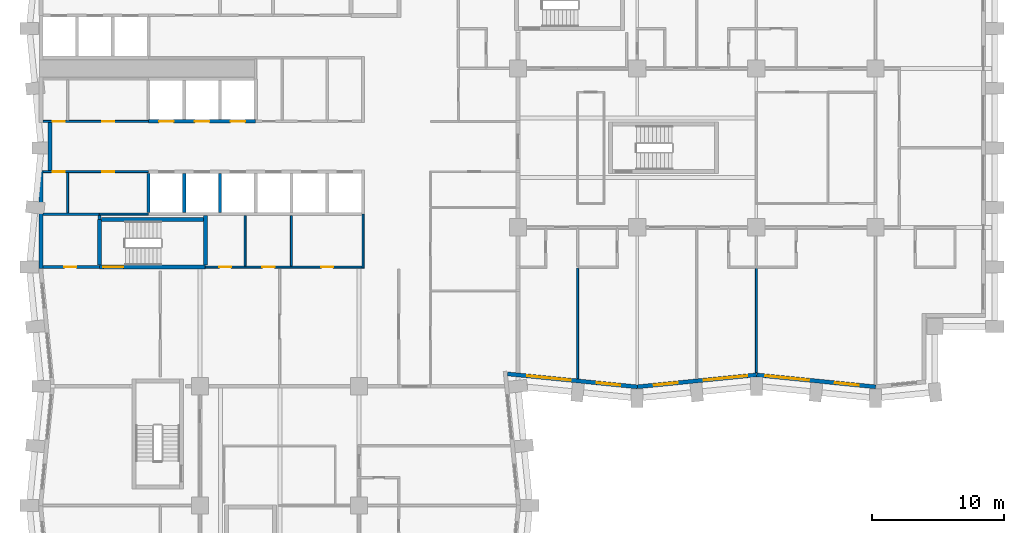
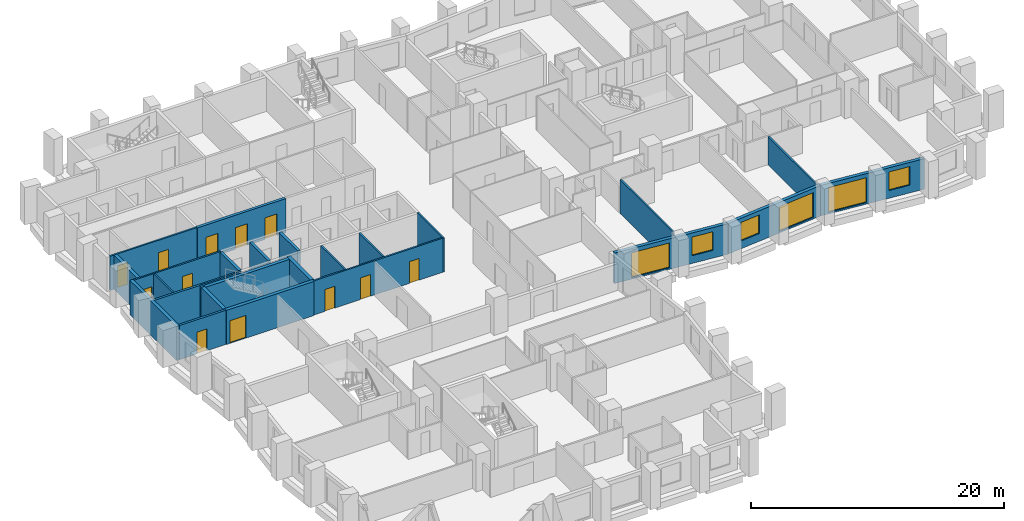
# One storey, part 5 of 12: 26 walls, 12 doors, 6 windows, 18 openings.
"""IFC4 building model written with IfcOpenShell, lengths in metres."""

from ifc_helpers import new_model, si_unit, direction, frame, frame_2d, origin, place, context, subcontext, project, spatial, rectangle, extrude, material, layer, layer_set, type_object, element, fill, save


model = new_model("IFC4")

# Units and contexts
model_context = context("Model", 3, precision=1e-05, world=origin(), true_north=direction((0.0, 1.0)))
body_context = subcontext(model_context, "Body", "Model", "MODEL_VIEW")
ifc_project = project(units=[si_unit("LENGTHUNIT", "METRE"), si_unit("AREAUNIT", "SQUARE_METRE"), si_unit("VOLUMEUNIT", "CUBIC_METRE"), si_unit("PLANEANGLEUNIT", "RADIAN"), si_unit("MASSUNIT", "GRAM", prefix="KILO")], contexts=[model_context])

# Site, building, storey
site_placement = place(None, origin())
site = spatial("IfcSite", under=ifc_project, at=site_placement, CompositionType="ELEMENT")
building_placement = place(site_placement, origin())
building = spatial("IfcBuilding", under=site, at=building_placement, Name="Brondeck Convention Tower", CompositionType="ELEMENT")
storey_placement = place(building_placement, frame((0.0, 0.0, 51.89990234375)))
storey = spatial("IfcBuildingStorey", under=building, at=storey_placement, Name="L10", CompositionType="ELEMENT", Elevation=51.89990234375)

# Wall, openings, doors
ifc_material_1 = material(Name="Concrete C80/95", Category="concrete")
ifc_layer_1 = layer(ifc_material_1, 0.14990234375)
ifc_layer_set_1 = layer_set([ifc_layer_1], Name="Core beam-seat wall 150 Concrete C80/95")
wall_type_1 = type_object("IfcWallType", Name="Core beam-seat wall 150 Concrete C80/95", PredefinedType="SHEAR", material=ifc_layer_set_1)
wall_1_placement = place(storey_placement, frame((12.39990234375, 36.0, 0.0), z_axis=(0.0, 0.0, 1.0), x_axis=(1.0, 0.0, 0.0)))
wall_1 = element("IfcWall", 1, at=wall_1_placement, inside=storey, type_object=wall_type_1, Name="L10 core wall", PredefinedType="SHEAR", context=body_context, shape_type="SweptSolid", body=[
    extrude(rectangle(XDim=11.8251953125, YDim=0.14990234375, at=frame_2d((5.91259765625, 0.0))), origin(), (0.0, 0.0, 1.0), 3.300048828125),
])
opening_1_placement = place(wall_1_placement, frame((1.050048828125, 0.0, 0.0)))
opening_1 = element("IfcOpeningElement", 2, at=opening_1_placement, cuts=wall_1, Name="Opening C09-03", PredefinedType="OPENING", context=body_context, shape_type="SweptSolid", body=[
    extrude(rectangle(XDim=0.89990234375, YDim=2.10009765625, at=frame_2d((0.449951171875, 1.050048828125))), frame((0.0, 0.0849609375, 0.0), z_axis=(0.0, -1.0, 0.0), x_axis=(1.0, 0.0, 0.0)), (0.0, 0.0, 1.0), 0.169921875),
])
opening_2_placement = place(wall_1_placement, frame((4.27490234375, 0.0, 0.0)))
opening_2 = element("IfcOpeningElement", 3, at=opening_2_placement, cuts=wall_1, Name="Opening C09-04", PredefinedType="OPENING", context=body_context, shape_type="SweptSolid", body=[
    extrude(rectangle(XDim=0.949951171875, YDim=2.10009765625, at=frame_2d((0.47509765625, 1.050048828125))), frame((0.0, 0.0849609375, 0.0), z_axis=(0.0, -1.0, 0.0), x_axis=(1.0, 0.0, 0.0)), (0.0, 0.0, 1.0), 0.169921875),
])
opening_3_placement = place(wall_1_placement, frame((8.75, 0.0, 0.0)))
opening_3 = element("IfcOpeningElement", 4, at=opening_3_placement, cuts=wall_1, Name="Opening C09-05", PredefinedType="OPENING", context=body_context, shape_type="SweptSolid", body=[
    extrude(rectangle(XDim=0.89990234375, YDim=2.10009765625, at=frame_2d((0.449951171875, 1.050048828125))), frame((0.0, 0.0849609375, 0.0), z_axis=(0.0, -1.0, 0.0), x_axis=(1.0, 0.0, 0.0)), (0.0, 0.0, 1.0), 0.169921875),
])
ifc_material_2 = material(Name="Steel fire door", Category="steel")
door_type_1 = type_object("IfcDoorType", Name="Room door 900x2100 EI 60", OperationType="NOTDEFINED", PredefinedType="DOOR", material=ifc_material_2)
door_1_placement = place(opening_1_placement, origin())
door_1 = element("IfcDoor", 5, at=door_1_placement, inside=storey, type_object=door_type_1, Name="L10 Room door FR-1", OperationType="SINGLE_SWING_RIGHT", OverallHeight=2.10009765625, OverallWidth=0.89990234375, PredefinedType="DOOR", context=body_context, shape_type="SweptSolid", body=[
    extrude(rectangle(XDim=0.89990234375, YDim=2.10009765625, at=frame_2d((0.449951171875, 1.050048828125))), frame((0.0, 0.02490234375, 0.0), z_axis=(0.0, -1.0, 0.0), x_axis=(1.0, 0.0, 0.0)), (0.0, 0.0, 1.0), 0.050048828125),
])
fill(opening_1, door_1)
door_2_placement = place(opening_3_placement, origin())
door_2 = element("IfcDoor", 6, at=door_2_placement, inside=storey, type_object=door_type_1, Name="L10 Room door FR-3", OperationType="SINGLE_SWING_RIGHT", OverallHeight=2.10009765625, OverallWidth=0.89990234375, PredefinedType="DOOR", context=body_context, shape_type="SweptSolid", body=[
    extrude(rectangle(XDim=0.89990234375, YDim=2.10009765625, at=frame_2d((0.449951171875, 1.050048828125))), frame((0.0, 0.02490234375, 0.0), z_axis=(0.0, -1.0, 0.0), x_axis=(1.0, 0.0, 0.0)), (0.0, 0.0, 1.0), 0.050048828125),
])
fill(opening_3, door_2)
door_type_2 = type_object("IfcDoorType", Name="Room door 950x2100 EI 60", OperationType="NOTDEFINED", PredefinedType="DOOR", material=ifc_material_2)
door_3_placement = place(opening_2_placement, origin())
door_3 = element("IfcDoor", 7, at=door_3_placement, inside=storey, type_object=door_type_2, Name="L10 Room door FR-2", OperationType="SINGLE_SWING_LEFT", OverallHeight=2.10009765625, OverallWidth=0.949951171875, PredefinedType="DOOR", context=body_context, shape_type="SweptSolid", body=[
    extrude(rectangle(XDim=0.949951171875, YDim=2.10009765625, at=frame_2d((0.47509765625, 1.050048828125))), frame((0.0, 0.02490234375, 0.0), z_axis=(0.0, -1.0, 0.0), x_axis=(1.0, 0.0, 0.0)), (0.0, 0.0, 1.0), 0.050048828125),
])
fill(opening_2, door_3)

# Walls
wall_2_placement = place(storey_placement, frame((24.300048828125, 35.925048828125, 0.0), z_axis=(0.0, 0.0, 1.0), x_axis=(0.0, 1.0, 0.0)))
element("IfcWall", 8, at=wall_2_placement, inside=storey, type_object=wall_type_1, Name="L10 core wall", PredefinedType="SHEAR", context=body_context, shape_type="SweptSolid", body=[
    extrude(rectangle(XDim=4.074951171875, YDim=0.14990234375, at=frame_2d((2.03759765625, 0.0))), origin(), (0.0, 0.0, 1.0), 3.300048828125),
])
ifc_layer_2 = layer(ifc_material_1, 0.300048828125)
ifc_layer_set_2 = layer_set([ifc_layer_2], Name="Core outer wall 300 Concrete C80/95")
wall_type_2 = type_object("IfcWallType", Name="Core outer wall 300 Concrete C80/95", PredefinedType="SHEAR", material=ifc_layer_set_2)
wall_3_placement = place(storey_placement, frame((0.0, 35.89990234375, 0.0), z_axis=(0.0, 0.0, 1.0), x_axis=(0.0, 1.0, 0.0)))
element("IfcWall", 9, at=wall_3_placement, inside=storey, type_object=wall_type_2, Name="L10 core wall", PredefinedType="SHEAR", context=body_context, shape_type="SweptSolid", body=[
    extrude(rectangle(XDim=7.375, YDim=0.300048828125, at=frame_2d((3.6875, 0.0))), origin(), (0.0, 0.0, 1.0), 3.300048828125),
])
wall_4_placement = place(storey_placement, frame((0.64990234375, 43.27490234375, 0.0), z_axis=(0.0, 0.0, 1.0), x_axis=(0.0, 1.0, 0.0)))
element("IfcWall", 10, at=wall_4_placement, inside=storey, type_object=wall_type_2, Name="L10 core wall", PredefinedType="SHEAR", context=body_context, shape_type="SweptSolid", body=[
    extrude(rectangle(XDim=3.650146484375, YDim=0.300048828125, at=frame_2d((1.8251953125, 0.0))), origin(), (0.0, 0.0, 1.0), 3.300048828125),
])
ifc_material_3 = material(Name="Fire-rated gypsum board partition")
ifc_layer_3 = layer(ifc_material_3, 0.14990234375)
ifc_layer_set_3 = layer_set([ifc_layer_3], Name="Core partition 150 EI 60")
wall_type_3 = type_object("IfcWallType", Name="Core partition 150 EI 60", PredefinedType="PARTITIONING", material=ifc_layer_set_3)
wall_5_placement = place(storey_placement, frame((4.39990234375, 40.0, 0.0), z_axis=(0.0, 0.0, 1.0), x_axis=(1.0, 0.0, 0.0)))
element("IfcWall", 11, at=wall_5_placement, inside=storey, type_object=wall_type_3, Name="L10 core wall", PredefinedType="PARTITIONING", context=body_context, shape_type="SweptSolid", body=[
    extrude(rectangle(XDim=3.7001953125, YDim=0.14990234375, at=frame_2d((1.85009765625, 0.0))), origin(), (0.0, 0.0, 1.0), 3.300048828125),
])

# Wall, openings, doors
wall_6_placement = place(storey_placement, frame((0.14990234375, 43.199951171875, 0.0), z_axis=(0.0, 0.0, 1.0), x_axis=(1.0, 0.0, 0.0)))
wall_6 = element("IfcWall", 12, at=wall_6_placement, inside=storey, type_object=wall_type_3, Name="L10 core wall", PredefinedType="PARTITIONING", context=body_context, shape_type="SweptSolid", body=[
    extrude(rectangle(XDim=7.9501953125, YDim=0.14990234375, at=frame_2d((3.97509765625, 0.0))), origin(), (0.0, 0.0, 1.0), 3.300048828125),
])
opening_4_placement = place(wall_6_placement, frame((0.72509765625, 0.0, 0.0)))
opening_4 = element("IfcOpeningElement", 13, at=opening_4_placement, cuts=wall_6, Name="Opening C09-11", PredefinedType="OPENING", context=body_context, shape_type="SweptSolid", body=[
    extrude(rectangle(XDim=0.89990234375, YDim=2.10009765625, at=frame_2d((0.449951171875, 1.050048828125))), frame((0.0, 0.0849609375, 0.0), z_axis=(0.0, -1.0, 0.0), x_axis=(1.0, 0.0, 0.0)), (0.0, 0.0, 1.0), 0.169921875),
])
opening_5_placement = place(wall_6_placement, frame((4.449951171875, 0.0, 0.0)))
opening_5 = element("IfcOpeningElement", 14, at=opening_5_placement, cuts=wall_6, Name="Opening C09-12", PredefinedType="OPENING", context=body_context, shape_type="SweptSolid", body=[
    extrude(rectangle(XDim=0.89990234375, YDim=2.10009765625, at=frame_2d((0.449951171875, 1.050048828125))), frame((0.0, 0.0849609375, 0.0), z_axis=(0.0, -1.0, 0.0), x_axis=(1.0, 0.0, 0.0)), (0.0, 0.0, 1.0), 0.169921875),
])
door_4_placement = place(opening_4_placement, origin())
door_4 = element("IfcDoor", 15, at=door_4_placement, inside=storey, type_object=door_type_1, Name="L10 Room door FZ-S-0-1", OperationType="SINGLE_SWING_LEFT", OverallHeight=2.10009765625, OverallWidth=0.89990234375, PredefinedType="DOOR", context=body_context, shape_type="SweptSolid", body=[
    extrude(rectangle(XDim=0.89990234375, YDim=2.10009765625, at=frame_2d((0.449951171875, 1.050048828125))), frame((0.0, 0.02490234375, 0.0), z_axis=(0.0, -1.0, 0.0), x_axis=(1.0, 0.0, 0.0)), (0.0, 0.0, 1.0), 0.050048828125),
])
fill(opening_4, door_4)
door_5_placement = place(opening_5_placement, origin())
door_5 = element("IfcDoor", 16, at=door_5_placement, inside=storey, type_object=door_type_1, Name="L10 Room door FZ-S-0-2", OperationType="SINGLE_SWING_RIGHT", OverallHeight=2.10009765625, OverallWidth=0.89990234375, PredefinedType="DOOR", context=body_context, shape_type="SweptSolid", body=[
    extrude(rectangle(XDim=0.89990234375, YDim=2.10009765625, at=frame_2d((0.449951171875, 1.050048828125))), frame((0.0, 0.02490234375, 0.0), z_axis=(0.0, -1.0, 0.0), x_axis=(1.0, 0.0, 0.0)), (0.0, 0.0, 1.0), 0.050048828125),
])
fill(opening_5, door_5)

wall_7_placement = place(storey_placement, frame((0.14990234375, 47.0, 0.0), z_axis=(0.0, 0.0, 1.0), x_axis=(1.0, 0.0, 0.0)))
wall_7 = element("IfcWall", 17, at=wall_7_placement, inside=storey, type_object=wall_type_3, Name="L10 core wall", PredefinedType="PARTITIONING", context=body_context, shape_type="SweptSolid", body=[
    extrude(rectangle(XDim=7.9501953125, YDim=0.14990234375, at=frame_2d((3.97509765625, 0.0))), origin(), (0.0, 0.0, 1.0), 3.300048828125),
])
opening_6_placement = place(wall_7_placement, frame((0.72509765625, 0.0, 0.0)))
opening_6 = element("IfcOpeningElement", 18, at=opening_6_placement, cuts=wall_7, Name="Opening C09-07", PredefinedType="OPENING", context=body_context, shape_type="SweptSolid", body=[
    extrude(rectangle(XDim=0.89990234375, YDim=2.10009765625, at=frame_2d((0.449951171875, 1.050048828125))), frame((0.0, 0.0849609375, 0.0), z_axis=(0.0, -1.0, 0.0), x_axis=(1.0, 0.0, 0.0)), (0.0, 0.0, 1.0), 0.169921875),
])
opening_7_placement = place(wall_7_placement, frame((4.449951171875, 0.0, 0.0)))
opening_7 = element("IfcOpeningElement", 19, at=opening_7_placement, cuts=wall_7, Name="Opening C09-08", PredefinedType="OPENING", context=body_context, shape_type="SweptSolid", body=[
    extrude(rectangle(XDim=0.89990234375, YDim=2.10009765625, at=frame_2d((0.449951171875, 1.050048828125))), frame((0.0, 0.0849609375, 0.0), z_axis=(0.0, -1.0, 0.0), x_axis=(1.0, 0.0, 0.0)), (0.0, 0.0, 1.0), 0.169921875),
])
door_6_placement = place(opening_6_placement, origin())
door_6 = element("IfcDoor", 20, at=door_6_placement, inside=storey, type_object=door_type_1, Name="L10 Room door FZ-N-0-1", OperationType="SINGLE_SWING_RIGHT", OverallHeight=2.10009765625, OverallWidth=0.89990234375, PredefinedType="DOOR", context=body_context, shape_type="SweptSolid", body=[
    extrude(rectangle(XDim=0.89990234375, YDim=2.10009765625, at=frame_2d((0.449951171875, 1.050048828125))), frame((0.0, 0.02490234375, 0.0), z_axis=(0.0, -1.0, 0.0), x_axis=(1.0, 0.0, 0.0)), (0.0, 0.0, 1.0), 0.050048828125),
])
fill(opening_6, door_6)
door_7_placement = place(opening_7_placement, origin())
door_7 = element("IfcDoor", 21, at=door_7_placement, inside=storey, type_object=door_type_1, Name="L10 Room door FZ-N-0-2", OperationType="SINGLE_SWING_LEFT", OverallHeight=2.10009765625, OverallWidth=0.89990234375, PredefinedType="DOOR", context=body_context, shape_type="SweptSolid", body=[
    extrude(rectangle(XDim=0.89990234375, YDim=2.10009765625, at=frame_2d((0.449951171875, 1.050048828125))), frame((0.0, 0.02490234375, 0.0), z_axis=(0.0, -1.0, 0.0), x_axis=(1.0, 0.0, 0.0)), (0.0, 0.0, 1.0), 0.050048828125),
])
fill(opening_7, door_7)

# Walls
wall_8_placement = place(storey_placement, frame((2.0, 40.10009765625, 0.0), z_axis=(0.0, 0.0, 1.0), x_axis=(0.0, 1.0, 0.0)))
element("IfcWall", 22, at=wall_8_placement, inside=storey, type_object=wall_type_3, Name="L10 core wall", PredefinedType="PARTITIONING", context=body_context, shape_type="SweptSolid", body=[
    extrude(rectangle(XDim=3.02490234375, YDim=0.14990234375, at=frame_2d((1.512451171875, 0.0))), origin(), (0.0, 0.0, 1.0), 3.300048828125),
])
for number, where, z_axis, x_axis, name in (
    (23, (15.39990234375, 36.074951171875, 0.0), (0.0, 0.0, 1.0), (0.0, 1.0, 0.0), "L10 core wall"),
    (24, (18.89990234375, 36.074951171875, 0.0), (0.0, 0.0, 1.0), (0.0, 1.0, 0.0), "L10 core wall"),
):
    element("IfcWall", number, at=place(storey_placement, frame(where, z_axis=z_axis, x_axis=x_axis)), inside=storey, type_object=wall_type_3, Name=name, PredefinedType="PARTITIONING", context=body_context, shape_type="SweptSolid", body=[
        extrude(rectangle(XDim=3.800048828125, YDim=0.14990234375, at=frame_2d((1.89990234375, 0.0))), origin(), (0.0, 0.0, 1.0), 3.300048828125),
    ])

# Wall, openings, windows
ifc_material_4 = material(Name="Precast concrete C50/60 bronze finish", Category="concrete")
ifc_layer_4 = layer(ifc_material_4, 0.070068359375, Name="Bronze precast facing")
ifc_material_5 = material(Name="Mineral wool")
ifc_layer_5 = layer(ifc_material_5, 0.159912109375, Name="Insulation")
ifc_material_6 = material(Name="Concrete C35/45", Category="concrete")
ifc_layer_6 = layer(ifc_material_6, 0.070068359375, Name="Backing")
ifc_layer_set_4 = layer_set([ifc_layer_4, ifc_layer_5, ifc_layer_6], Name="External infill wall, precast concrete C50/60 bronze facing")
wall_type_4 = type_object("IfcWallType", Name="External infill wall, precast concrete C50/60 bronze facing", PredefinedType="SOLIDWALL", material=ifc_layer_set_4)
wall_9_placement = place(storey_placement, frame((45.014892578125, 26.95263671875, 0.0), z_axis=(0.0, 0.0, 1.0), x_axis=(-0.995036699177, 0.099508629231, 0.0)))
wall_9 = element("IfcWall", 25, at=wall_9_placement, inside=storey, type_object=wall_type_4, Name="ENV-EW-L10-P0-A-S-00", PredefinedType="SOLIDWALL", context=body_context, shape_type="SweptSolid", body=[
    extrude(rectangle(XDim=9.845703125, YDim=0.300048828125, at=frame_2d((4.9228515625, 0.0))), origin(), (0.0, 0.0, 1.0), 2.9501953125),
])
opening_8_placement = place(wall_9_placement, frame((1.291259765625, 0.0, 0.75)))
opening_8 = element("IfcOpeningElement", 26, at=opening_8_placement, cuts=wall_9, Name="Opening W10", PredefinedType="OPENING", context=body_context, shape_type="SweptSolid", body=[
    extrude(rectangle(XDim=1.800048828125, YDim=1.800048828125, at=frame_2d((0.89990234375, 0.89990234375))), frame((0.0, 0.159912109375, 0.0), z_axis=(0.0, -1.0, 0.0), x_axis=(1.0, 0.0, 0.0)), (0.0, 0.0, 1.0), 0.320068359375),
])
opening_9_placement = place(wall_9_placement, frame((5.063720703125, 0.0, 0.14990234375)))
opening_9 = element("IfcOpeningElement", 27, at=opening_9_placement, cuts=wall_9, Name="Opening W9", PredefinedType="OPENING", context=body_context, shape_type="SweptSolid", body=[
    extrude(rectangle(XDim=3.300048828125, YDim=2.39990234375, at=frame_2d((1.64990234375, 1.199951171875))), frame((0.0, 0.159912109375, 0.0), z_axis=(0.0, -1.0, 0.0), x_axis=(1.0, 0.0, 0.0)), (0.0, 0.0, 1.0), 0.320068359375),
])
ifc_material_7 = material(Name="Bronze tinted double glazing", Category="glass")
window_type_1 = type_object("IfcWindowType", Name="Glazed flute window, bronze tinted", PartitioningType="SINGLE_PANEL", PredefinedType="WINDOW", material=ifc_material_7)
window_1_placement = place(opening_9_placement, origin())
window_1 = element("IfcWindow", 28, at=window_1_placement, inside=storey, type_object=window_type_1, Name="ENV-WN-L10-P0-A-S-00", OverallHeight=2.39990234375, OverallWidth=3.300048828125, PartitioningType="SINGLE_PANEL", PredefinedType="WINDOW", context=body_context, shape_type="SweptSolid", body=[
    extrude(rectangle(XDim=3.300048828125, YDim=2.39990234375, at=frame_2d((1.64990234375, 1.199951171875))), frame((0.0, 0.030029296875, 0.0), z_axis=(0.0, -1.0, 0.0), x_axis=(1.0, 0.0, 0.0)), (0.0, 0.0, 1.0), 0.06005859375),
])
fill(opening_9, window_1)
window_type_2 = type_object("IfcWindowType", Name="Punched window, bronze tinted", PartitioningType="SINGLE_PANEL", PredefinedType="WINDOW", material=ifc_material_7)
window_2_placement = place(opening_8_placement, origin())
window_2 = element("IfcWindow", 29, at=window_2_placement, inside=storey, type_object=window_type_2, Name="ENV-WN-L10-P0-A-S-01", OverallHeight=1.800048828125, OverallWidth=1.800048828125, PartitioningType="SINGLE_PANEL", PredefinedType="WINDOW", context=body_context, shape_type="SweptSolid", body=[
    extrude(rectangle(XDim=1.800048828125, YDim=1.800048828125, at=frame_2d((0.89990234375, 0.89990234375))), frame((0.0, 0.030029296875, 0.0), z_axis=(0.0, -1.0, 0.0), x_axis=(1.0, 0.0, 0.0)), (0.0, 0.0, 1.0), 0.06005859375),
])
fill(opening_8, window_2)

wall_10_placement = place(storey_placement, frame((54.014892578125, 27.855712890625, 0.0), z_axis=(0.0, 0.0, 1.0), x_axis=(-0.995037993253, -0.099495688264, 0.0)))
wall_10 = element("IfcWall", 30, at=wall_10_placement, inside=storey, type_object=wall_type_4, Name="ENV-EW-L10-P0-A-S-02", PredefinedType="SOLIDWALL", context=body_context, shape_type="SweptSolid", body=[
    extrude(rectangle(XDim=9.030029296875, YDim=0.300048828125, at=frame_2d((4.51513671875, 0.0))), origin(), (0.0, 0.0, 1.0), 2.9501953125),
])
opening_10_placement = place(wall_10_placement, frame((0.711181640625, 0.0, 0.14990234375)))
opening_10 = element("IfcOpeningElement", 31, at=opening_10_placement, cuts=wall_10, Name="Opening W9", PredefinedType="OPENING", context=body_context, shape_type="SweptSolid", body=[
    extrude(rectangle(XDim=3.300048828125, YDim=2.39990234375, at=frame_2d((1.64990234375, 1.199951171875))), frame((0.0, 0.159912109375, 0.0), z_axis=(0.0, -1.0, 0.0), x_axis=(1.0, 0.0, 0.0)), (0.0, 0.0, 1.0), 0.320068359375),
])
opening_11_placement = place(wall_10_placement, frame((5.983642578125, 0.0, 0.75)))
opening_11 = element("IfcOpeningElement", 32, at=opening_11_placement, cuts=wall_10, Name="Opening W10", PredefinedType="OPENING", context=body_context, shape_type="SweptSolid", body=[
    extrude(rectangle(XDim=1.800048828125, YDim=1.800048828125, at=frame_2d((0.89990234375, 0.89990234375))), frame((0.0, 0.159912109375, 0.0), z_axis=(0.0, -1.0, 0.0), x_axis=(1.0, 0.0, 0.0)), (0.0, 0.0, 1.0), 0.320068359375),
])
window_3_placement = place(opening_10_placement, origin())
window_3 = element("IfcWindow", 33, at=window_3_placement, inside=storey, type_object=window_type_1, Name="ENV-WN-L10-P0-A-S-03", OverallHeight=2.39990234375, OverallWidth=3.300048828125, PartitioningType="SINGLE_PANEL", PredefinedType="WINDOW", context=body_context, shape_type="SweptSolid", body=[
    extrude(rectangle(XDim=3.300048828125, YDim=2.39990234375, at=frame_2d((1.64990234375, 1.199951171875))), frame((0.0, 0.030029296875, 0.0), z_axis=(0.0, -1.0, 0.0), x_axis=(1.0, 0.0, 0.0)), (0.0, 0.0, 1.0), 0.06005859375),
])
fill(opening_10, window_3)
window_4_placement = place(opening_11_placement, origin())
window_4 = element("IfcWindow", 34, at=window_4_placement, inside=storey, type_object=window_type_2, Name="ENV-WN-L10-P0-A-S-02", OverallHeight=1.800048828125, OverallWidth=1.800048828125, PartitioningType="SINGLE_PANEL", PredefinedType="WINDOW", context=body_context, shape_type="SweptSolid", body=[
    extrude(rectangle(XDim=1.800048828125, YDim=1.800048828125, at=frame_2d((0.89990234375, 0.89990234375))), frame((0.0, 0.030029296875, 0.0), z_axis=(0.0, -1.0, 0.0), x_axis=(1.0, 0.0, 0.0)), (0.0, 0.0, 1.0), 0.06005859375),
])
fill(opening_11, window_4)

wall_11_placement = place(storey_placement, frame((63.014892578125, 26.95263671875, 0.0), z_axis=(0.0, 0.0, 1.0), x_axis=(-0.995035316196, 0.099522457379, 0.0)))
wall_11 = element("IfcWall", 35, at=wall_11_placement, inside=storey, type_object=wall_type_4, Name="ENV-EW-L10-P0-A-S-04", PredefinedType="SOLIDWALL", context=body_context, shape_type="SweptSolid", body=[
    extrude(rectangle(XDim=9.030029296875, YDim=0.300048828125, at=frame_2d((4.51513671875, 0.0))), origin(), (0.0, 0.0, 1.0), 2.9501953125),
])
opening_12_placement = place(wall_11_placement, frame((1.291259765625, 0.0, 0.75)))
opening_12 = element("IfcOpeningElement", 36, at=opening_12_placement, cuts=wall_11, Name="Opening W10", PredefinedType="OPENING", context=body_context, shape_type="SweptSolid", body=[
    extrude(rectangle(XDim=1.800048828125, YDim=1.800048828125, at=frame_2d((0.89990234375, 0.89990234375))), frame((0.0, 0.159912109375, 0.0), z_axis=(0.0, -1.0, 0.0), x_axis=(1.0, 0.0, 0.0)), (0.0, 0.0, 1.0), 0.320068359375),
])
opening_13_placement = place(wall_11_placement, frame((5.063720703125, 0.0, 0.14990234375)))
opening_13 = element("IfcOpeningElement", 37, at=opening_13_placement, cuts=wall_11, Name="Opening W9", PredefinedType="OPENING", context=body_context, shape_type="SweptSolid", body=[
    extrude(rectangle(XDim=3.300048828125, YDim=2.39990234375, at=frame_2d((1.64990234375, 1.199951171875))), frame((0.0, 0.159912109375, 0.0), z_axis=(0.0, -1.0, 0.0), x_axis=(1.0, 0.0, 0.0)), (0.0, 0.0, 1.0), 0.320068359375),
])
window_5_placement = place(opening_13_placement, origin())
window_5 = element("IfcWindow", 38, at=window_5_placement, inside=storey, type_object=window_type_1, Name="ENV-WN-L10-P0-A-S-04", OverallHeight=2.39990234375, OverallWidth=3.300048828125, PartitioningType="SINGLE_PANEL", PredefinedType="WINDOW", context=body_context, shape_type="SweptSolid", body=[
    extrude(rectangle(XDim=3.300048828125, YDim=2.39990234375, at=frame_2d((1.64990234375, 1.199951171875))), frame((0.0, 0.030029296875, 0.0), z_axis=(0.0, -1.0, 0.0), x_axis=(1.0, 0.0, 0.0)), (0.0, 0.0, 1.0), 0.06005859375),
])
fill(opening_13, window_5)
window_6_placement = place(opening_12_placement, origin())
window_6 = element("IfcWindow", 39, at=window_6_placement, inside=storey, type_object=window_type_2, Name="ENV-WN-L10-P0-A-S-05", OverallHeight=1.800048828125, OverallWidth=1.800048828125, PartitioningType="SINGLE_PANEL", PredefinedType="WINDOW", context=body_context, shape_type="SweptSolid", body=[
    extrude(rectangle(XDim=1.800048828125, YDim=1.800048828125, at=frame_2d((0.89990234375, 0.89990234375))), frame((0.0, 0.030029296875, 0.0), z_axis=(0.0, -1.0, 0.0), x_axis=(1.0, 0.0, 0.0)), (0.0, 0.0, 1.0), 0.06005859375),
])
fill(opening_12, window_6)

# Walls
ifc_material_8 = material(Name="Double gypsum board acoustic wall")
ifc_layer_7 = layer(ifc_material_8, 0.14990234375)
ifc_layer_set_5 = layer_set([ifc_layer_7], Name="Guest room party wall 150")
wall_type_5 = type_object("IfcWallType", Name="Guest room party wall 150", PredefinedType="PARTITIONING", material=ifc_layer_set_5)
wall_12_placement = place(storey_placement, frame((40.5, 35.925048828125, 0.0), z_axis=(0.0, 0.0, 1.0), x_axis=(0.0, -1.0, 0.0)))
element("IfcWall", 40, at=wall_12_placement, inside=storey, type_object=wall_type_5, Name="FLR-L10-W049", PredefinedType="PARTITIONING", context=body_context, shape_type="SweptSolid", body=[
    extrude(rectangle(XDim=8.35009765625, YDim=0.14990234375, at=frame_2d((4.175048828125, 0.0))), origin(), (0.0, 0.0, 1.0), 3.280029296875),
])
wall_13_placement = place(storey_placement, frame((54.0, 35.925048828125, 0.0), z_axis=(0.0, 0.0, 1.0), x_axis=(0.0, -1.0, 0.0)))
element("IfcWall", 41, at=wall_13_placement, inside=storey, type_object=wall_type_5, Name="FLR-L10-W050", PredefinedType="PARTITIONING", context=body_context, shape_type="SweptSolid", body=[
    extrude(rectangle(XDim=7.900146484375, YDim=0.14990234375, at=frame_2d((3.9501953125, 0.0))), origin(), (0.0, 0.0, 1.0), 2.72998046875),
])

# Wall, openings, doors
ifc_layer_8 = layer(ifc_material_1, 0.25)
ifc_layer_set_6 = layer_set([ifc_layer_8], Name="Lift shaft wall 250 Concrete C80/95")
wall_type_6 = type_object("IfcWallType", Name="Lift shaft wall 250 Concrete C80/95", PredefinedType="SHEAR", material=ifc_layer_set_6)
wall_14_placement = place(storey_placement, frame((8.10009765625, 47.0, 0.0), z_axis=(0.0, 0.0, 1.0), x_axis=(1.0, 0.0, 0.0)))
wall_14 = element("IfcWall", 42, at=wall_14_placement, inside=storey, type_object=wall_type_6, Name="L10 core wall", PredefinedType="SHEAR", context=body_context, shape_type="SweptSolid", body=[
    extrude(rectangle(XDim=8.099853515625, YDim=0.25, at=frame_2d((4.0498046875, 0.0))), origin(), (0.0, 0.0, 1.0), 3.300048828125),
])
opening_14_placement = place(wall_14_placement, frame((0.800048828125, 0.0, 0.0)))
opening_14 = element("IfcOpeningElement", 43, at=opening_14_placement, cuts=wall_14, Name="Opening C09-29", PredefinedType="OPENING", context=body_context, shape_type="SweptSolid", body=[
    extrude(rectangle(XDim=1.10009765625, YDim=2.10009765625, at=frame_2d((0.550048828125, 1.050048828125))), frame((0.0, 0.135009765625, 0.0), z_axis=(0.0, -1.0, 0.0), x_axis=(1.0, 0.0, 0.0)), (0.0, 0.0, 1.0), 0.27001953125),
])
opening_15_placement = place(wall_14_placement, frame((3.5, 0.0, 0.0)))
opening_15 = element("IfcOpeningElement", 44, at=opening_15_placement, cuts=wall_14, Name="Opening C09-30", PredefinedType="OPENING", context=body_context, shape_type="SweptSolid", body=[
    extrude(rectangle(XDim=1.10009765625, YDim=2.10009765625, at=frame_2d((0.550048828125, 1.050048828125))), frame((0.0, 0.135009765625, 0.0), z_axis=(0.0, -1.0, 0.0), x_axis=(1.0, 0.0, 0.0)), (0.0, 0.0, 1.0), 0.27001953125),
])
opening_16_placement = place(wall_14_placement, frame((6.199951171875, 0.0, 0.0)))
opening_16 = element("IfcOpeningElement", 45, at=opening_16_placement, cuts=wall_14, Name="Opening C09-31", PredefinedType="OPENING", context=body_context, shape_type="SweptSolid", body=[
    extrude(rectangle(XDim=1.10009765625, YDim=2.10009765625, at=frame_2d((0.550048828125, 1.050048828125))), frame((0.0, 0.135009765625, 0.0), z_axis=(0.0, -1.0, 0.0), x_axis=(1.0, 0.0, 0.0)), (0.0, 0.0, 1.0), 0.27001953125),
])
ifc_material_9 = material(Name="Stainless steel lift door", Category="steel")
door_type_3 = type_object("IfcDoorType", Name="Lift landing door 1100x2100 EI 180", OperationType="DOUBLE_DOOR_SLIDING", PredefinedType="DOOR", material=ifc_material_9)
door_8_placement = place(opening_14_placement, origin())
door_8 = element("IfcDoor", 46, at=door_8_placement, inside=storey, type_object=door_type_3, Name="L10 Lift landing door LR4", OperationType="DOUBLE_DOOR_SLIDING", OverallHeight=2.10009765625, OverallWidth=1.10009765625, PredefinedType="DOOR", context=body_context, shape_type="SweptSolid", body=[
    extrude(rectangle(XDim=1.10009765625, YDim=2.10009765625, at=frame_2d((0.550048828125, 1.050048828125))), frame((0.0, 0.02490234375, 0.0), z_axis=(0.0, -1.0, 0.0), x_axis=(1.0, 0.0, 0.0)), (0.0, 0.0, 1.0), 0.050048828125),
])
fill(opening_14, door_8)
door_9_placement = place(opening_15_placement, origin())
door_9 = element("IfcDoor", 47, at=door_9_placement, inside=storey, type_object=door_type_3, Name="L10 Lift landing door LR5", OperationType="DOUBLE_DOOR_SLIDING", OverallHeight=2.10009765625, OverallWidth=1.10009765625, PredefinedType="DOOR", context=body_context, shape_type="SweptSolid", body=[
    extrude(rectangle(XDim=1.10009765625, YDim=2.10009765625, at=frame_2d((0.550048828125, 1.050048828125))), frame((0.0, 0.02490234375, 0.0), z_axis=(0.0, -1.0, 0.0), x_axis=(1.0, 0.0, 0.0)), (0.0, 0.0, 1.0), 0.050048828125),
])
fill(opening_15, door_9)
door_10_placement = place(opening_16_placement, origin())
door_10 = element("IfcDoor", 48, at=door_10_placement, inside=storey, type_object=door_type_3, Name="L10 Lift landing door LR6", OperationType="DOUBLE_DOOR_SLIDING", OverallHeight=2.10009765625, OverallWidth=1.10009765625, PredefinedType="DOOR", context=body_context, shape_type="SweptSolid", body=[
    extrude(rectangle(XDim=1.10009765625, YDim=2.10009765625, at=frame_2d((0.550048828125, 1.050048828125))), frame((0.0, 0.02490234375, 0.0), z_axis=(0.0, -1.0, 0.0), x_axis=(1.0, 0.0, 0.0)), (0.0, 0.0, 1.0), 0.050048828125),
])
fill(opening_16, door_10)

# Walls
for number, where, z_axis, x_axis, name in (
    (49, (8.10009765625, 40.125, 0.0), (0.0, 0.0, 1.0), (0.0, 1.0, 0.0), "L10 core wall"),
    (50, (10.800048828125, 40.125, 0.0), (0.0, 0.0, 1.0), (0.0, 1.0, 0.0), "L10 core wall"),
    (51, (13.5, 40.125, 0.0), (0.0, 0.0, 1.0), (0.0, 1.0, 0.0), "L10 core wall"),
):
    element("IfcWall", number, at=place(storey_placement, frame(where, z_axis=z_axis, x_axis=x_axis)), inside=storey, type_object=wall_type_6, Name=name, PredefinedType="SHEAR", context=body_context, shape_type="SweptSolid", body=[
        extrude(rectangle(XDim=2.949951171875, YDim=0.25, at=frame_2d((1.47509765625, 0.0))), origin(), (0.0, 0.0, 1.0), 3.300048828125),
    ])

# Wall, opening, door
ifc_layer_9 = layer(ifc_material_3, 0.199951171875)
ifc_layer_set_7 = layer_set([ifc_layer_9], Name="Riser wall 200 EI 120")
wall_type_7 = type_object("IfcWallType", Name="Riser wall 200 EI 120", PredefinedType="PARTITIONING", material=ifc_layer_set_7)
wall_15_placement = place(storey_placement, frame((0.14990234375, 36.0, 0.0), z_axis=(0.0, 0.0, 1.0), x_axis=(1.0, 0.0, 0.0)))
wall_15 = element("IfcWall", 52, at=wall_15_placement, inside=storey, type_object=wall_type_7, Name="L10 core wall", PredefinedType="PARTITIONING", context=body_context, shape_type="SweptSolid", body=[
    extrude(rectangle(XDim=4.25, YDim=0.199951171875, at=frame_2d((2.125, 0.0))), origin(), (0.0, 0.0, 1.0), 3.300048828125),
])
opening_17_placement = place(wall_15_placement, frame((1.60009765625, 0.0, 0.0)))
opening_17 = element("IfcOpeningElement", 53, at=opening_17_placement, cuts=wall_15, Name="Opening C09-06", PredefinedType="OPENING", context=body_context, shape_type="SweptSolid", body=[
    extrude(rectangle(XDim=0.89990234375, YDim=2.10009765625, at=frame_2d((0.449951171875, 1.050048828125))), frame((0.0, 0.10986328125, 0.0), z_axis=(0.0, -1.0, 0.0), x_axis=(1.0, 0.0, 0.0)), (0.0, 0.0, 1.0), 0.219970703125),
])
door_type_4 = type_object("IfcDoorType", Name="Riser door 900x2100 EI 120", OperationType="NOTDEFINED", PredefinedType="DOOR", material=ifc_material_2)
door_11_placement = place(opening_17_placement, origin())
door_11 = element("IfcDoor", 54, at=door_11_placement, inside=storey, type_object=door_type_4, Name="L10 Riser door FRW-1", OperationType="SINGLE_SWING_LEFT", OverallHeight=2.10009765625, OverallWidth=0.89990234375, PredefinedType="DOOR", context=body_context, shape_type="SweptSolid", body=[
    extrude(rectangle(XDim=0.89990234375, YDim=2.10009765625, at=frame_2d((0.449951171875, 1.050048828125))), frame((0.0, 0.02490234375, 0.0), z_axis=(0.0, -1.0, 0.0), x_axis=(1.0, 0.0, 0.0)), (0.0, 0.0, 1.0), 0.050048828125),
])
fill(opening_17, door_11)

# Walls
wall_16_placement = place(storey_placement, frame((0.14990234375, 40.0, 0.0), z_axis=(0.0, 0.0, 1.0), x_axis=(1.0, 0.0, 0.0)))
element("IfcWall", 55, at=wall_16_placement, inside=storey, type_object=wall_type_7, Name="L10 core wall", PredefinedType="PARTITIONING", context=body_context, shape_type="SweptSolid", body=[
    extrude(rectangle(XDim=4.25, YDim=0.199951171875, at=frame_2d((2.125, 0.0))), origin(), (0.0, 0.0, 1.0), 3.300048828125),
])
wall_17_placement = place(storey_placement, frame((4.39990234375, 39.60009765625, 0.0), z_axis=(0.0, 0.0, 1.0), x_axis=(0.0, 1.0, 0.0)))
element("IfcWall", 56, at=wall_17_placement, inside=storey, type_object=wall_type_7, Name="L10 core wall", PredefinedType="PARTITIONING", context=body_context, shape_type="SweptSolid", body=[
    extrude(rectangle(XDim=0.2998046875, YDim=0.199951171875, at=frame_2d((0.14990234375, 0.0))), origin(), (0.0, 0.0, 1.0), 3.300048828125),
])

# Wall, opening, door
ifc_layer_10 = layer(ifc_material_1, 0.300048828125)
ifc_layer_set_8 = layer_set([ifc_layer_10], Name="Stair enclosure wall 300 Concrete C80/95")
wall_type_8 = type_object("IfcWallType", Name="Stair enclosure wall 300 Concrete C80/95", PredefinedType="SHEAR", material=ifc_layer_set_8)
wall_18_placement = place(storey_placement, frame((4.39990234375, 36.0, 0.0), z_axis=(0.0, 0.0, 1.0), x_axis=(1.0, 0.0, 0.0)))
wall_18 = element("IfcWall", 57, at=wall_18_placement, inside=storey, type_object=wall_type_8, Name="L10 core wall", PredefinedType="SHEAR", context=body_context, shape_type="SweptSolid", body=[
    extrude(rectangle(XDim=8.0, YDim=0.300048828125, at=frame_2d((4.0, 0.0))), origin(), (0.0, 0.0, 1.0), 3.300048828125),
])
opening_18_placement = place(wall_18_placement, frame((0.300048828125, 0.0, 0.0)))
opening_18 = element("IfcOpeningElement", 58, at=opening_18_placement, cuts=wall_18, Name="Opening C09-15", PredefinedType="OPENING", context=body_context, shape_type="SweptSolid", body=[
    extrude(rectangle(XDim=1.5, YDim=2.199951171875, at=frame_2d((0.75, 1.10009765625))), frame((0.0, 0.159912109375, 0.0), z_axis=(0.0, -1.0, 0.0), x_axis=(1.0, 0.0, 0.0)), (0.0, 0.0, 1.0), 0.320068359375),
])
door_type_5 = type_object("IfcDoorType", Name="Stair door 1500x2200 EI 90", OperationType="NOTDEFINED", PredefinedType="DOOR", material=ifc_material_2)
door_12_placement = place(opening_18_placement, origin())
door_12 = element("IfcDoor", 59, at=door_12_placement, inside=storey, type_object=door_type_5, Name="L10 Stair door ST-1", OperationType="SINGLE_SWING_RIGHT", OverallHeight=2.199951171875, OverallWidth=1.5, PredefinedType="DOOR", context=body_context, shape_type="SweptSolid", body=[
    extrude(rectangle(XDim=1.5, YDim=2.199951171875, at=frame_2d((0.75, 1.10009765625))), frame((0.0, 0.02490234375, 0.0), z_axis=(0.0, -1.0, 0.0), x_axis=(1.0, 0.0, 0.0)), (0.0, 0.0, 1.0), 0.050048828125),
])
fill(opening_18, door_12)

# Walls
wall_19_placement = place(storey_placement, frame((4.550048828125, 39.60009765625, 0.0), z_axis=(0.0, 0.0, 1.0), x_axis=(1.0, 0.0, 0.0)))
element("IfcWall", 60, at=wall_19_placement, inside=storey, type_object=wall_type_8, Name="L10 core wall", PredefinedType="SHEAR", context=body_context, shape_type="SweptSolid", body=[
    extrude(rectangle(XDim=7.699951171875, YDim=0.300048828125, at=frame_2d((3.85009765625, 0.0))), origin(), (0.0, 0.0, 1.0), 3.300048828125),
])
wall_20_placement = place(storey_placement, frame((4.39990234375, 36.14990234375, 0.0), z_axis=(0.0, 0.0, 1.0), x_axis=(0.0, 1.0, 0.0)))
element("IfcWall", 61, at=wall_20_placement, inside=storey, type_object=wall_type_8, Name="L10 core wall", PredefinedType="SHEAR", context=body_context, shape_type="SweptSolid", body=[
    extrude(rectangle(XDim=3.4501953125, YDim=0.300048828125, at=frame_2d((1.72509765625, 0.0))), origin(), (0.0, 0.0, 1.0), 3.300048828125),
])
wall_21_placement = place(storey_placement, frame((12.39990234375, 36.14990234375, 0.0), z_axis=(0.0, 0.0, 1.0), x_axis=(0.0, 1.0, 0.0)))
element("IfcWall", 62, at=wall_21_placement, inside=storey, type_object=wall_type_8, Name="L10 core wall", PredefinedType="SHEAR", context=body_context, shape_type="SweptSolid", body=[
    extrude(rectangle(XDim=3.72509765625, YDim=0.300048828125, at=frame_2d((1.862548828125, 0.0))), origin(), (0.0, 0.0, 1.0), 3.300048828125),
])

save(model, "model.ifc")
